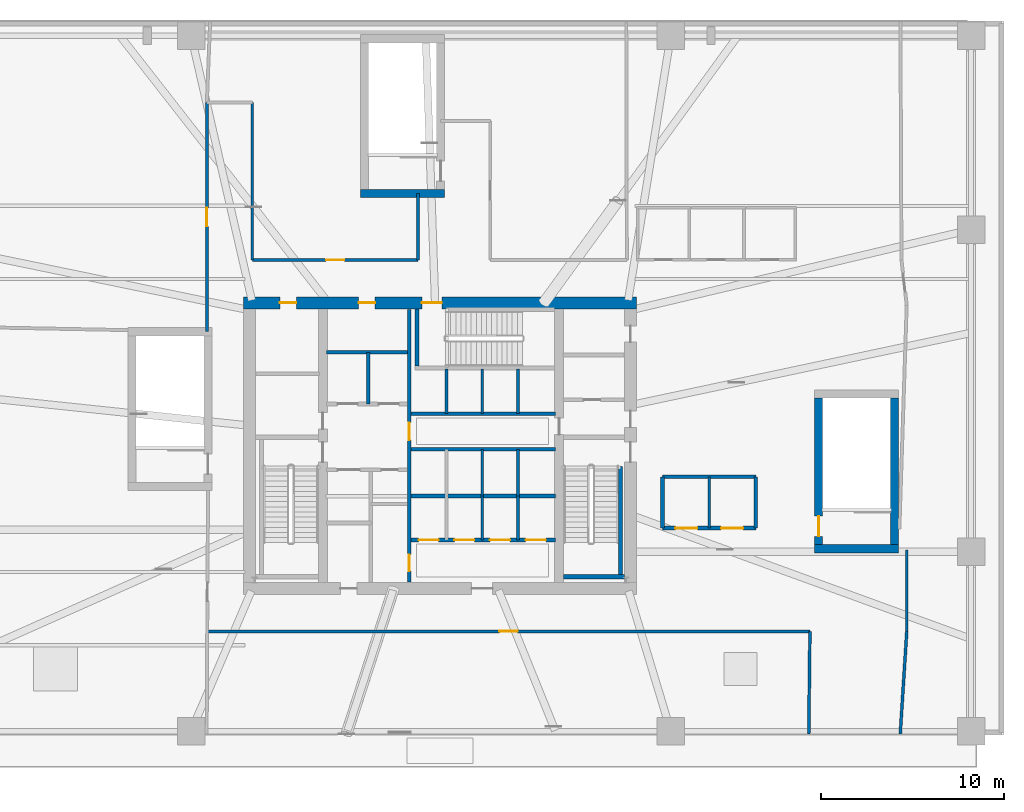
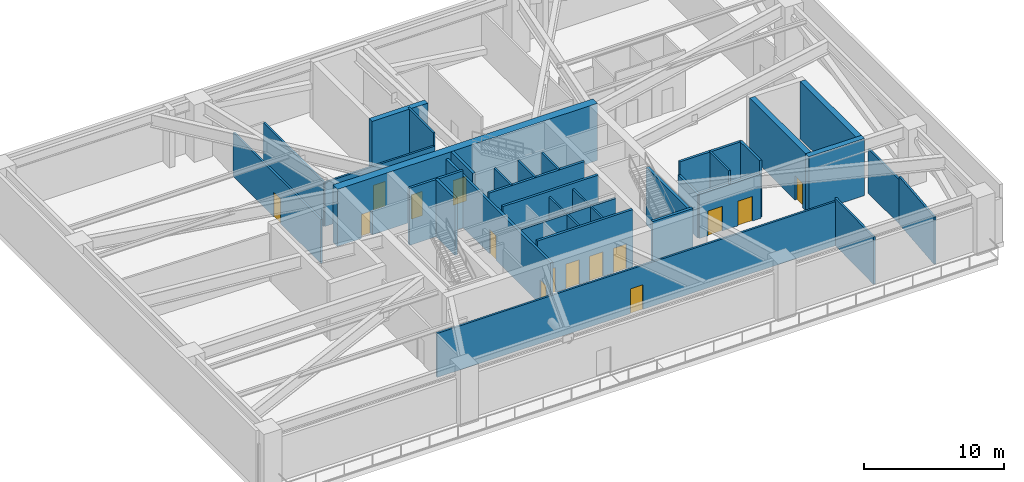
# One storey, part 5 of 10: 35 walls, 15 doors, 15 openings.
"""IFC4 building model written with IfcOpenShell, lengths in metres."""

from ifc_helpers import new_model, si_unit, direction, frame, frame_2d, origin, place, context, subcontext, project, spatial, rectangle, extrude, material, layer, layer_set, type_object, element, fill, save


model = new_model("IFC4")

# Units and contexts
model_context = context("Model", 3, precision=1e-05, world=origin(), true_north=direction((0.0, 1.0)))
body_context = subcontext(model_context, "Body", "Model", "MODEL_VIEW")
ifc_project = project(units=[si_unit("LENGTHUNIT", "METRE"), si_unit("AREAUNIT", "SQUARE_METRE"), si_unit("VOLUMEUNIT", "CUBIC_METRE"), si_unit("PLANEANGLEUNIT", "RADIAN"), si_unit("MASSUNIT", "GRAM", prefix="KILO")], contexts=[model_context])

# Site, building, storey
site_placement = place(None, origin())
site = spatial("IfcSite", under=ifc_project, at=site_placement, CompositionType="ELEMENT")
building_placement = place(site_placement, origin())
building = spatial("IfcBuilding", under=site, at=building_placement, Name="Qarnah Convention Tower", CompositionType="ELEMENT")
storey_placement = place(building_placement, frame((0.0, 0.0, 21.60009765625)))
storey = spatial("IfcBuildingStorey", under=building, at=storey_placement, Name="L04", CompositionType="ELEMENT", Elevation=21.60009765625)

# Wall, openings, doors
ifc_material_1 = material(Name="Concrete C60/75", Category="concrete")
ifc_layer_1 = layer(ifc_material_1, 0.64990234375)
ifc_layer_set_1 = layer_set([ifc_layer_1], Name="Concrete C60/75")
wall_type_1 = type_object("IfcWallType", Name="WL-CORE-650", PredefinedType="SHEAR", material=ifc_layer_set_1)
wall_1_placement = place(storey_placement, frame((26.47509765625, 34.199951171875, 0.0), z_axis=(0.0, 0.0, 1.0), x_axis=(1.0, 0.0, 0.0)))
wall_1 = element("IfcWall", 1, at=wall_1_placement, inside=storey, type_object=wall_type_1, Name="L04 core north shear wall", PredefinedType="SHEAR", context=body_context, shape_type="SweptSolid", body=[
    extrude(rectangle(XDim=21.449951171875, YDim=0.64990234375, at=frame_2d((10.72509765625, 0.0))), origin(), (0.0, 0.0, 1.0), 4.97998046875),
])
opening_1_placement = place(wall_1_placement, frame((9.72509765625, 0.0, 0.0)))
opening_1 = element("IfcOpeningElement", 2, at=opening_1_placement, cuts=wall_1, Name="Opening D-0403", PredefinedType="OPENING", context=body_context, shape_type="SweptSolid", body=[
    extrude(rectangle(XDim=1.10009765625, YDim=2.14990234375, at=frame_2d((0.550048828125, 1.074951171875))), frame((0.0, 0.3349609375, 0.0), z_axis=(0.0, -1.0, 0.0), x_axis=(1.0, 0.0, 0.0)), (0.0, 0.0, 1.0), 0.669921875),
])
opening_2_placement = place(wall_1_placement, frame((1.97509765625, 0.0, 0.0)))
opening_2 = element("IfcOpeningElement", 3, at=opening_2_placement, cuts=wall_1, Name="Opening D-0409", PredefinedType="OPENING", context=body_context, shape_type="SweptSolid", body=[
    extrude(rectangle(XDim=0.89990234375, YDim=2.10009765625, at=frame_2d((0.449951171875, 1.050048828125))), frame((0.0, 0.3349609375, 0.0), z_axis=(0.0, -1.0, 0.0), x_axis=(1.0, 0.0, 0.0)), (0.0, 0.0, 1.0), 0.669921875),
])
opening_3_placement = place(wall_1_placement, frame((6.27490234375, 0.0, 0.0)))
opening_3 = element("IfcOpeningElement", 4, at=opening_3_placement, cuts=wall_1, Name="Opening D-0410", PredefinedType="OPENING", context=body_context, shape_type="SweptSolid", body=[
    extrude(rectangle(XDim=0.89990234375, YDim=2.10009765625, at=frame_2d((0.449951171875, 1.050048828125))), frame((0.0, 0.3349609375, 0.0), z_axis=(0.0, -1.0, 0.0), x_axis=(1.0, 0.0, 0.0)), (0.0, 0.0, 1.0), 0.669921875),
])
ifc_material_2 = material(Name="Structural steel S355JR", Category="steel")
door_type_1 = type_object("IfcDoorType", Name="DT-RISER-900", OperationType="NOTDEFINED", PredefinedType="DOOR", material=ifc_material_2)
door_1_placement = place(opening_2_placement, origin())
door_1 = element("IfcDoor", 5, at=door_1_placement, inside=storey, type_object=door_type_1, Name="Door D-0409", OperationType="SINGLE_SWING_RIGHT", OverallHeight=2.10009765625, OverallWidth=0.89990234375, PredefinedType="DOOR", context=body_context, shape_type="SweptSolid", body=[
    extrude(rectangle(XDim=0.89990234375, YDim=2.10009765625, at=frame_2d((0.449951171875, 1.050048828125))), frame((0.0, 0.02490234375, 0.0), z_axis=(0.0, -1.0, 0.0), x_axis=(1.0, 0.0, 0.0)), (0.0, 0.0, 1.0), 0.050048828125),
])
fill(opening_2, door_1)
door_2_placement = place(opening_3_placement, origin())
door_2 = element("IfcDoor", 6, at=door_2_placement, inside=storey, type_object=door_type_1, Name="Door D-0410", OperationType="SINGLE_SWING_LEFT", OverallHeight=2.10009765625, OverallWidth=0.89990234375, PredefinedType="DOOR", context=body_context, shape_type="SweptSolid", body=[
    extrude(rectangle(XDim=0.89990234375, YDim=2.10009765625, at=frame_2d((0.449951171875, 1.050048828125))), frame((0.0, 0.02490234375, 0.0), z_axis=(0.0, -1.0, 0.0), x_axis=(1.0, 0.0, 0.0)), (0.0, 0.0, 1.0), 0.050048828125),
])
fill(opening_3, door_2)
door_type_2 = type_object("IfcDoorType", Name="DT-STAIR-1100", OperationType="NOTDEFINED", PredefinedType="DOOR", material=ifc_material_2)
door_3_placement = place(opening_1_placement, origin())
door_3 = element("IfcDoor", 7, at=door_3_placement, inside=storey, type_object=door_type_2, Name="Door D-0403", OperationType="SINGLE_SWING_RIGHT", OverallHeight=2.14990234375, OverallWidth=1.10009765625, PredefinedType="DOOR", context=body_context, shape_type="SweptSolid", body=[
    extrude(rectangle(XDim=1.10009765625, YDim=2.14990234375, at=frame_2d((0.550048828125, 1.074951171875))), frame((0.0, 0.02490234375, 0.0), z_axis=(0.0, -1.0, 0.0), x_axis=(1.0, 0.0, 0.0)), (0.0, 0.0, 1.0), 0.050048828125),
])
fill(opening_1, door_3)

ifc_material_3 = material(Name="Concrete C45/55", Category="concrete")
ifc_layer_2 = layer(ifc_material_3, 0.199951171875)
ifc_layer_set_2 = layer_set([ifc_layer_2], Name="Concrete C45/55")
wall_type_2 = type_object("IfcWallType", Name="WL-CORE-PART-200", PredefinedType="SOLIDWALL", material=ifc_layer_set_2)
wall_2_placement = place(storey_placement, frame((35.52001953125, 18.949951171875, 0.0), z_axis=(0.0, 0.0, 1.0), x_axis=(0.0, 1.0, 0.0)))
wall_2 = element("IfcWall", 8, at=wall_2_placement, inside=storey, type_object=wall_type_2, Name="L04 interior wall IW-L04-CSP", PredefinedType="SOLIDWALL", context=body_context, shape_type="SweptSolid", body=[
    extrude(rectangle(XDim=14.900146484375, YDim=0.199951171875, at=frame_2d((7.4501953125, 0.0))), origin(), (0.0, 0.0, 1.0), 4.5009765625),
])
opening_4_placement = place(wall_2_placement, frame((7.7548828125, 0.0, 0.0)))
opening_4 = element("IfcOpeningElement", 9, at=opening_4_placement, cuts=wall_2, Name="Opening D-0404", PredefinedType="OPENING", context=body_context, shape_type="SweptSolid", body=[
    extrude(rectangle(XDim=0.949951171875, YDim=2.14990234375, at=frame_2d((0.47509765625, 1.074951171875))), frame((0.0, 0.10986328125, 0.0), z_axis=(0.0, -1.0, 0.0), x_axis=(1.0, 0.0, 0.0)), (0.0, 0.0, 1.0), 0.219970703125),
])
opening_5_placement = place(wall_2_placement, frame((0.60009765625, 0.0, 0.0)))
opening_5 = element("IfcOpeningElement", 10, at=opening_5_placement, cuts=wall_2, Name="Opening D-0414", PredefinedType="OPENING", context=body_context, shape_type="SweptSolid", body=[
    extrude(rectangle(XDim=0.89990234375, YDim=2.10009765625, at=frame_2d((0.449951171875, 1.050048828125))), frame((0.0, 0.10986328125, 0.0), z_axis=(0.0, -1.0, 0.0), x_axis=(1.0, 0.0, 0.0)), (0.0, 0.0, 1.0), 0.219970703125),
])
ifc_material_4 = material(Name="Oak timber veneer", Category="wood")
door_type_3 = type_object("IfcDoorType", Name="DT-HOTEL-950", OperationType="NOTDEFINED", PredefinedType="DOOR", material=ifc_material_4)
door_4_placement = place(opening_4_placement, origin())
door_4 = element("IfcDoor", 11, at=door_4_placement, inside=storey, type_object=door_type_3, Name="Door D-0404", OperationType="SINGLE_SWING_LEFT", OverallHeight=2.14990234375, OverallWidth=0.949951171875, PredefinedType="DOOR", context=body_context, shape_type="SweptSolid", body=[
    extrude(rectangle(XDim=0.949951171875, YDim=2.14990234375, at=frame_2d((0.47509765625, 1.074951171875))), frame((0.0, 0.02490234375, 0.0), z_axis=(0.0, -1.0, 0.0), x_axis=(1.0, 0.0, 0.0)), (0.0, 0.0, 1.0), 0.050048828125),
])
fill(opening_4, door_4)
door_5_placement = place(opening_5_placement, origin())
door_5 = element("IfcDoor", 12, at=door_5_placement, inside=storey, type_object=door_type_1, Name="Door D-0414", OperationType="SINGLE_SWING_LEFT", OverallHeight=2.10009765625, OverallWidth=0.89990234375, PredefinedType="DOOR", context=body_context, shape_type="SweptSolid", body=[
    extrude(rectangle(XDim=0.89990234375, YDim=2.10009765625, at=frame_2d((0.449951171875, 1.050048828125))), frame((0.0, 0.02490234375, 0.0), z_axis=(0.0, -1.0, 0.0), x_axis=(1.0, 0.0, 0.0)), (0.0, 0.0, 1.0), 0.050048828125),
])
fill(opening_5, door_5)

# Walls
wall_3_placement = place(storey_placement, frame((31.0, 31.5, 0.0), z_axis=(0.0, 0.0, 1.0), x_axis=(1.0, 0.0, 0.0)))
element("IfcWall", 13, at=wall_3_placement, inside=storey, type_object=wall_type_2, Name="L04 interior wall IW-L04-FFLN", PredefinedType="SOLIDWALL", context=body_context, shape_type="SweptSolid", body=[
    extrude(rectangle(XDim=4.419921875, YDim=0.199951171875, at=frame_2d((2.2099609375, 0.0))), origin(), (0.0, 0.0, 1.0), 4.97998046875),
])
wall_4_placement = place(storey_placement, frame((33.280029296875, 28.679931640625, 0.0), z_axis=(0.0, 0.0, 1.0), x_axis=(0.0, 1.0, 0.0)))
element("IfcWall", 14, at=wall_4_placement, inside=storey, type_object=wall_type_2, Name="L04 interior wall IW-L04-FFLM", PredefinedType="SOLIDWALL", context=body_context, shape_type="SweptSolid", body=[
    extrude(rectangle(XDim=2.820068359375, YDim=0.199951171875, at=frame_2d((1.41015625, 0.0))), origin(), (0.0, 0.0, 1.0), 4.97998046875),
])
for number, where, z_axis, x_axis, name in (
    (15, (35.6201171875, 28.14990234375, 0.0), (0.0, 0.0, 1.0), (1.0, 0.0, 0.0), "L04 interior wall IW-L04-PHS"),
    (16, (35.6201171875, 26.199951171875, 0.0), (0.0, 0.0, 1.0), (1.0, 0.0, 0.0), "L04 interior wall IW-L04-PMN"),
):
    element("IfcWall", number, at=place(storey_placement, frame(where, z_axis=z_axis, x_axis=x_axis)), inside=storey, type_object=wall_type_2, Name=name, PredefinedType="SOLIDWALL", context=body_context, shape_type="SweptSolid", body=[
        extrude(rectangle(XDim=7.8798828125, YDim=0.199951171875, at=frame_2d((3.93994140625, 0.0))), origin(), (0.0, 0.0, 1.0), 4.97998046875),
    ])
wall_5_placement = place(storey_placement, frame((35.6201171875, 23.64990234375, 0.0), z_axis=(0.0, 0.0, 1.0), x_axis=(1.0, 0.0, 0.0)))
element("IfcWall", 17, at=wall_5_placement, inside=storey, type_object=wall_type_2, Name="L04 interior wall IW-L04-PMPL", PredefinedType="SOLIDWALL", context=body_context, shape_type="SweptSolid", body=[
    extrude(rectangle(XDim=7.8798828125, YDim=0.199951171875, at=frame_2d((3.93994140625, 0.0))), origin(), (0.0, 0.0, 1.0), 4.5009765625),
])

# Wall, openings, doors
wall_6_placement = place(storey_placement, frame((35.6201171875, 21.25, 0.0), z_axis=(0.0, 0.0, 1.0), x_axis=(1.0, 0.0, 0.0)))
wall_6 = element("IfcWall", 18, at=wall_6_placement, inside=storey, type_object=wall_type_2, Name="L04 interior wall IW-L04-PLS", PredefinedType="SOLIDWALL", context=body_context, shape_type="SweptSolid", body=[
    extrude(rectangle(XDim=7.8798828125, YDim=0.199951171875, at=frame_2d((3.93994140625, 0.0))), origin(), (0.0, 0.0, 1.0), 4.97998046875),
])
opening_6_placement = place(wall_6_placement, frame((0.405029296875, 0.0, 0.0)))
opening_6 = element("IfcOpeningElement", 19, at=opening_6_placement, cuts=wall_6, Name="Opening LD-0404", PredefinedType="OPENING", context=body_context, shape_type="SweptSolid", body=[
    extrude(rectangle(XDim=1.10009765625, YDim=2.14990234375, at=frame_2d((0.550048828125, 1.074951171875))), frame((0.0, 0.10986328125, 0.0), z_axis=(0.0, -1.0, 0.0), x_axis=(1.0, 0.0, 0.0)), (0.0, 0.0, 1.0), 0.219970703125),
])
opening_7_placement = place(wall_6_placement, frame((2.35498046875, 0.0, 0.0)))
opening_7 = element("IfcOpeningElement", 20, at=opening_7_placement, cuts=wall_6, Name="Opening LD-0405", PredefinedType="OPENING", context=body_context, shape_type="SweptSolid", body=[
    extrude(rectangle(XDim=1.10009765625, YDim=2.14990234375, at=frame_2d((0.550048828125, 1.074951171875))), frame((0.0, 0.10986328125, 0.0), z_axis=(0.0, -1.0, 0.0), x_axis=(1.0, 0.0, 0.0)), (0.0, 0.0, 1.0), 0.219970703125),
])
opening_8_placement = place(wall_6_placement, frame((4.304931640625, 0.0, 0.0)))
opening_8 = element("IfcOpeningElement", 21, at=opening_8_placement, cuts=wall_6, Name="Opening LD-0406", PredefinedType="OPENING", context=body_context, shape_type="SweptSolid", body=[
    extrude(rectangle(XDim=1.10009765625, YDim=2.14990234375, at=frame_2d((0.550048828125, 1.074951171875))), frame((0.0, 0.10986328125, 0.0), z_axis=(0.0, -1.0, 0.0), x_axis=(1.0, 0.0, 0.0)), (0.0, 0.0, 1.0), 0.219970703125),
])
opening_9_placement = place(wall_6_placement, frame((6.2548828125, 0.0, 0.0)))
opening_9 = element("IfcOpeningElement", 22, at=opening_9_placement, cuts=wall_6, Name="Opening LD-0407", PredefinedType="OPENING", context=body_context, shape_type="SweptSolid", body=[
    extrude(rectangle(XDim=1.10009765625, YDim=2.14990234375, at=frame_2d((0.550048828125, 1.074951171875))), frame((0.0, 0.10986328125, 0.0), z_axis=(0.0, -1.0, 0.0), x_axis=(1.0, 0.0, 0.0)), (0.0, 0.0, 1.0), 0.219970703125),
])
door_type_4 = type_object("IfcDoorType", Name="DT-LIFT-1100", OperationType="SLIDING_TO_LEFT", PredefinedType="DOOR", material=ifc_material_2)
door_6_placement = place(opening_6_placement, origin())
door_6 = element("IfcDoor", 23, at=door_6_placement, inside=storey, type_object=door_type_4, Name="Door LD-0404", OperationType="SLIDING_TO_LEFT", OverallHeight=2.14990234375, OverallWidth=1.10009765625, PredefinedType="DOOR", context=body_context, shape_type="SweptSolid", body=[
    extrude(rectangle(XDim=1.10009765625, YDim=2.14990234375, at=frame_2d((0.550048828125, 1.074951171875))), frame((0.0, 0.02490234375, 0.0), z_axis=(0.0, -1.0, 0.0), x_axis=(1.0, 0.0, 0.0)), (0.0, 0.0, 1.0), 0.050048828125),
])
fill(opening_6, door_6)
door_7_placement = place(opening_7_placement, origin())
door_7 = element("IfcDoor", 24, at=door_7_placement, inside=storey, type_object=door_type_4, Name="Door LD-0405", OperationType="SLIDING_TO_LEFT", OverallHeight=2.14990234375, OverallWidth=1.10009765625, PredefinedType="DOOR", context=body_context, shape_type="SweptSolid", body=[
    extrude(rectangle(XDim=1.10009765625, YDim=2.14990234375, at=frame_2d((0.550048828125, 1.074951171875))), frame((0.0, 0.02490234375, 0.0), z_axis=(0.0, -1.0, 0.0), x_axis=(1.0, 0.0, 0.0)), (0.0, 0.0, 1.0), 0.050048828125),
])
fill(opening_7, door_7)
door_8_placement = place(opening_8_placement, origin())
door_8 = element("IfcDoor", 25, at=door_8_placement, inside=storey, type_object=door_type_4, Name="Door LD-0406", OperationType="SLIDING_TO_LEFT", OverallHeight=2.14990234375, OverallWidth=1.10009765625, PredefinedType="DOOR", context=body_context, shape_type="SweptSolid", body=[
    extrude(rectangle(XDim=1.10009765625, YDim=2.14990234375, at=frame_2d((0.550048828125, 1.074951171875))), frame((0.0, 0.02490234375, 0.0), z_axis=(0.0, -1.0, 0.0), x_axis=(1.0, 0.0, 0.0)), (0.0, 0.0, 1.0), 0.050048828125),
])
fill(opening_8, door_8)
door_9_placement = place(opening_9_placement, origin())
door_9 = element("IfcDoor", 26, at=door_9_placement, inside=storey, type_object=door_type_4, Name="Door LD-0407", OperationType="SLIDING_TO_LEFT", OverallHeight=2.14990234375, OverallWidth=1.10009765625, PredefinedType="DOOR", context=body_context, shape_type="SweptSolid", body=[
    extrude(rectangle(XDim=1.10009765625, YDim=2.14990234375, at=frame_2d((0.550048828125, 1.074951171875))), frame((0.0, 0.02490234375, 0.0), z_axis=(0.0, -1.0, 0.0), x_axis=(1.0, 0.0, 0.0)), (0.0, 0.0, 1.0), 0.050048828125),
])
fill(opening_9, door_9)

# Wall
wall_7_placement = place(storey_placement, frame((49.35009765625, 24.699951171875, 0.0), z_axis=(0.0, 0.0, 1.0), x_axis=(1.0, 0.0, 0.0)))
element("IfcWall", 27, at=wall_7_placement, inside=storey, type_object=wall_type_2, Name="L04 interior wall IW-L04-PSN", PredefinedType="SOLIDWALL", context=body_context, shape_type="SweptSolid", body=[
    extrude(rectangle(XDim=5.099853515625, YDim=0.199951171875, at=frame_2d((2.5498046875, 0.0))), origin(), (0.0, 0.0, 1.0), 4.97998046875),
])

# Wall, openings, doors
wall_8_placement = place(storey_placement, frame((49.35009765625, 21.89990234375, 0.0), z_axis=(0.0, 0.0, 1.0), x_axis=(1.0, 0.0, 0.0)))
wall_8 = element("IfcWall", 28, at=wall_8_placement, inside=storey, type_object=wall_type_2, Name="L04 interior wall IW-L04-PSS", PredefinedType="SOLIDWALL", context=body_context, shape_type="SweptSolid", body=[
    extrude(rectangle(XDim=5.099853515625, YDim=0.199951171875, at=frame_2d((2.5498046875, 0.0))), origin(), (0.0, 0.0, 1.0), 3.846923828125),
])
opening_10_placement = place(wall_8_placement, frame((0.699951171875, 0.0, 0.0)))
opening_10 = element("IfcOpeningElement", 29, at=opening_10_placement, cuts=wall_8, Name="Opening LD-0408", PredefinedType="OPENING", context=body_context, shape_type="SweptSolid", body=[
    extrude(rectangle(XDim=1.199951171875, YDim=2.14990234375, at=frame_2d((0.60009765625, 1.074951171875))), frame((0.0, 0.10986328125, 0.0), z_axis=(0.0, -1.0, 0.0), x_axis=(1.0, 0.0, 0.0)), (0.0, 0.0, 1.0), 0.219970703125),
])
opening_11_placement = place(wall_8_placement, frame((3.199951171875, 0.0, 0.0)))
opening_11 = element("IfcOpeningElement", 30, at=opening_11_placement, cuts=wall_8, Name="Opening LD-0409", PredefinedType="OPENING", context=body_context, shape_type="SweptSolid", body=[
    extrude(rectangle(XDim=1.199951171875, YDim=2.14990234375, at=frame_2d((0.60009765625, 1.074951171875))), frame((0.0, 0.10986328125, 0.0), z_axis=(0.0, -1.0, 0.0), x_axis=(1.0, 0.0, 0.0)), (0.0, 0.0, 1.0), 0.219970703125),
])
door_type_5 = type_object("IfcDoorType", Name="DT-LIFT-1200", OperationType="SLIDING_TO_LEFT", PredefinedType="DOOR", material=ifc_material_2)
door_10_placement = place(opening_10_placement, origin())
door_10 = element("IfcDoor", 31, at=door_10_placement, inside=storey, type_object=door_type_5, Name="Door LD-0408", OperationType="SLIDING_TO_LEFT", OverallHeight=2.14990234375, OverallWidth=1.199951171875, PredefinedType="DOOR", context=body_context, shape_type="SweptSolid", body=[
    extrude(rectangle(XDim=1.199951171875, YDim=2.14990234375, at=frame_2d((0.60009765625, 1.074951171875))), frame((0.0, 0.02490234375, 0.0), z_axis=(0.0, -1.0, 0.0), x_axis=(1.0, 0.0, 0.0)), (0.0, 0.0, 1.0), 0.050048828125),
])
fill(opening_10, door_10)
door_11_placement = place(opening_11_placement, origin())
door_11 = element("IfcDoor", 32, at=door_11_placement, inside=storey, type_object=door_type_5, Name="Door LD-0409", OperationType="SLIDING_TO_LEFT", OverallHeight=2.14990234375, OverallWidth=1.199951171875, PredefinedType="DOOR", context=body_context, shape_type="SweptSolid", body=[
    extrude(rectangle(XDim=1.199951171875, YDim=2.14990234375, at=frame_2d((0.60009765625, 1.074951171875))), frame((0.0, 0.02490234375, 0.0), z_axis=(0.0, -1.0, 0.0), x_axis=(1.0, 0.0, 0.0)), (0.0, 0.0, 1.0), 0.050048828125),
])
fill(opening_11, door_11)

# Walls
wall_9_placement = place(storey_placement, frame((49.35009765625, 21.89990234375, 0.0), z_axis=(0.0, 0.0, 1.0), x_axis=(0.0, 1.0, 0.0)))
element("IfcWall", 33, at=wall_9_placement, inside=storey, type_object=wall_type_2, Name="L04 interior wall IW-L04-PSW", PredefinedType="SOLIDWALL", context=body_context, shape_type="SweptSolid", body=[
    extrude(rectangle(XDim=2.800048828125, YDim=0.199951171875, at=frame_2d((1.39990234375, 0.0))), origin(), (0.0, 0.0, 1.0), 3.846923828125),
])
wall_10_placement = place(storey_placement, frame((54.449951171875, 21.89990234375, 0.0), z_axis=(0.0, 0.0, 1.0), x_axis=(0.0, 1.0, 0.0)))
element("IfcWall", 34, at=wall_10_placement, inside=storey, type_object=wall_type_2, Name="L04 interior wall IW-L04-PSE", PredefinedType="SOLIDWALL", context=body_context, shape_type="SweptSolid", body=[
    extrude(rectangle(XDim=2.800048828125, YDim=0.199951171875, at=frame_2d((1.39990234375, 0.0))), origin(), (0.0, 0.0, 1.0), 4.97998046875),
])
ifc_layer_3 = layer(ifc_material_1, 0.219970703125)
ifc_layer_set_3 = layer_set([ifc_layer_3], Name="Concrete C60/75")
wall_type_3 = type_object("IfcWallType", Name="WL-CORE-STAIR-220", PredefinedType="SHEAR", material=ifc_layer_set_3)
wall_11_placement = place(storey_placement, frame((47.06005859375, 19.35009765625, 0.0), z_axis=(0.0, 0.0, 1.0), x_axis=(0.0, 1.0, 0.0)))
element("IfcWall", 35, at=wall_11_placement, inside=storey, type_object=wall_type_3, Name="L04 stair shaft shear wall SW-L04-ST2E", PredefinedType="SHEAR", context=body_context, shape_type="SweptSolid", body=[
    extrude(rectangle(XDim=5.89990234375, YDim=0.219970703125, at=frame_2d((2.949951171875, 0.0))), origin(), (0.0, 0.0, 1.0), 4.97998046875),
])
wall_12_placement = place(storey_placement, frame((43.949951171875, 19.239990234375, 0.0), z_axis=(0.0, 0.0, 1.0), x_axis=(1.0, 0.0, 0.0)))
element("IfcWall", 36, at=wall_12_placement, inside=storey, type_object=wall_type_3, Name="L04 stair shaft shear wall SW-L04-ST2S", PredefinedType="SHEAR", context=body_context, shape_type="SweptSolid", body=[
    extrude(rectangle(XDim=3.324951171875, YDim=0.219970703125, at=frame_2d((1.66259765625, 0.0))), origin(), (0.0, 0.0, 1.0), 4.97998046875),
])
wall_13_placement = place(storey_placement, frame((35.93994140625, 30.75, 0.0), z_axis=(0.0, 0.0, 1.0), x_axis=(0.0, 1.0, 0.0)))
element("IfcWall", 37, at=wall_13_placement, inside=storey, type_object=wall_type_3, Name="L04 stair shaft shear wall SW-L04-ST3W", PredefinedType="SHEAR", context=body_context, shape_type="SweptSolid", body=[
    extrude(rectangle(XDim=3.125, YDim=0.219970703125, at=frame_2d((1.5625, 0.0))), origin(), (0.0, 0.0, 1.0), 4.97998046875),
])

# Wall, opening, door
ifc_material_5 = material(Name="Gypsum partition board")
ifc_layer_4 = layer(ifc_material_5, 0.159912109375)
ifc_layer_set_4 = layer_set([ifc_layer_4], Name="Gypsum partition board")
wall_type_4 = type_object("IfcWallType", Name="WL-CORR-160", PredefinedType="PARTITIONING", material=ifc_layer_set_4)
wall_14_placement = place(storey_placement, frame((24.4599609375, 32.625, 0.0), z_axis=(0.0, 0.0, 1.0), x_axis=(0.0, 1.0, 0.0)))
wall_14 = element("IfcWall", 38, at=wall_14_placement, inside=storey, type_object=wall_type_4, Name="L04 interior wall IW-L04-R-13", PredefinedType="PARTITIONING", context=body_context, shape_type="SweptSolid", body=[
    extrude(rectangle(XDim=12.514892578125, YDim=0.159912109375, at=frame_2d((6.25732421875, 0.0))), origin(), (0.0, 0.0, 1.0), 3.846923828125),
])
opening_12_placement = place(wall_14_placement, frame((5.758056640625, 0.0, 0.0)))
opening_12 = element("IfcOpeningElement", 39, at=opening_12_placement, cuts=wall_14, Name="Opening D-0423", PredefinedType="OPENING", context=body_context, shape_type="SweptSolid", body=[
    extrude(rectangle(XDim=1.0, YDim=2.14990234375, at=frame_2d((0.5, 1.074951171875))), frame((0.0, 0.08984375, 0.0), z_axis=(0.0, -1.0, 0.0), x_axis=(1.0, 0.0, 0.0)), (0.0, 0.0, 1.0), 0.179931640625),
])
door_type_6 = type_object("IfcDoorType", Name="DT-OFFICE-1000", OperationType="NOTDEFINED", PredefinedType="DOOR", material=ifc_material_4)
door_12_placement = place(opening_12_placement, origin())
door_12 = element("IfcDoor", 40, at=door_12_placement, inside=storey, type_object=door_type_6, Name="Door D-0423", OperationType="SINGLE_SWING_RIGHT", OverallHeight=2.14990234375, OverallWidth=1.0, PredefinedType="DOOR", context=body_context, shape_type="SweptSolid", body=[
    extrude(rectangle(XDim=1.0, YDim=2.14990234375, at=frame_2d((0.5, 1.074951171875))), frame((0.0, 0.02490234375, 0.0), z_axis=(0.0, -1.0, 0.0), x_axis=(1.0, 0.0, 0.0)), (0.0, 0.0, 1.0), 0.050048828125),
])
fill(opening_12, door_12)

# Wall
wall_15_placement = place(storey_placement, frame((57.3369140625, 10.64892578125, 0.0), z_axis=(0.0, 0.0, 1.0), x_axis=(0.011224981311, 0.999936997913, 0.0)))
element("IfcWall", 41, at=wall_15_placement, inside=storey, type_object=wall_type_4, Name="L04 interior wall IW-L04-R-15", PredefinedType="PARTITIONING", context=body_context, shape_type="SweptSolid", body=[
    extrude(rectangle(XDim=5.611328125, YDim=0.159912109375, at=frame_2d((2.8056640625, 0.0))), origin(), (0.0, 0.0, 1.0), 4.120849609375),
])

# Wall, opening, door
wall_16_placement = place(storey_placement, frame((57.39990234375, 16.260009765625, 0.0), z_axis=(0.0, 0.0, 1.0), x_axis=(-0.99999999956, 2.9665668e-05, 0.0)))
wall_16 = element("IfcWall", 42, at=wall_16_placement, inside=storey, type_object=wall_type_4, Name="L04 interior wall IW-L04-R-16", PredefinedType="PARTITIONING", context=body_context, shape_type="SweptSolid", body=[
    extrude(rectangle(XDim=32.9189453125, YDim=0.159912109375, at=frame_2d((16.45947265625, 0.0))), origin(), (0.0, 0.0, 1.0), 3.846923828125),
])
opening_13_placement = place(wall_16_placement, frame((15.9599609375, 0.0, 0.0)))
opening_13 = element("IfcOpeningElement", 43, at=opening_13_placement, cuts=wall_16, Name="Opening D-0424", PredefinedType="OPENING", context=body_context, shape_type="SweptSolid", body=[
    extrude(rectangle(XDim=1.0, YDim=2.14990234375, at=frame_2d((0.5, 1.074951171875))), frame((0.0, 0.08984375, 0.0), z_axis=(0.0, -1.0, 0.0), x_axis=(1.0, 0.0, 0.0)), (0.0, 0.0, 1.0), 0.179931640625),
])
door_13_placement = place(opening_13_placement, origin())
door_13 = element("IfcDoor", 44, at=door_13_placement, inside=storey, type_object=door_type_6, Name="Door D-0424", OperationType="SINGLE_SWING_LEFT", OverallHeight=2.14990234375, OverallWidth=1.0, PredefinedType="DOOR", context=body_context, shape_type="SweptSolid", body=[
    extrude(rectangle(XDim=1.0, YDim=2.14990234375, at=frame_2d((0.5, 1.074951171875))), frame((0.0, 0.02490234375, 0.0), z_axis=(0.0, -1.0, 0.0), x_axis=(1.0, 0.0, 0.0)), (0.0, 0.0, 1.0), 0.050048828125),
])
fill(opening_13, door_13)

# Wall
wall_17_placement = place(storey_placement, frame((26.93994140625, 45.139892578125, 0.0), z_axis=(0.0, 0.0, 1.0), x_axis=(0.0, -1.0, 0.0)))
element("IfcWall", 45, at=wall_17_placement, inside=storey, type_object=wall_type_4, Name="L04 interior wall IW-L04-R-18", PredefinedType="PARTITIONING", context=body_context, shape_type="SweptSolid", body=[
    extrude(rectangle(XDim=8.599853515625, YDim=0.159912109375, at=frame_2d((4.2998046875, 0.0))), origin(), (0.0, 0.0, 1.0), 3.846923828125),
])

# Wall, opening, door
wall_18_placement = place(storey_placement, frame((26.93994140625, 36.5400390625, 0.0), z_axis=(0.0, 0.0, 1.0), x_axis=(1.0, 0.0, 0.0)))
wall_18 = element("IfcWall", 46, at=wall_18_placement, inside=storey, type_object=wall_type_4, Name="L04 interior wall IW-L04-R-19", PredefinedType="PARTITIONING", context=body_context, shape_type="SweptSolid", body=[
    extrude(rectangle(XDim=9.06005859375, YDim=0.159912109375, at=frame_2d((4.530029296875, 0.0))), origin(), (0.0, 0.0, 1.0), 3.846923828125),
])
opening_14_placement = place(wall_18_placement, frame((4.030029296875, 0.0, 0.0)))
opening_14 = element("IfcOpeningElement", 47, at=opening_14_placement, cuts=wall_18, Name="Opening D-0425", PredefinedType="OPENING", context=body_context, shape_type="SweptSolid", body=[
    extrude(rectangle(XDim=1.0, YDim=2.14990234375, at=frame_2d((0.5, 1.074951171875))), frame((0.0, 0.08984375, 0.0), z_axis=(0.0, -1.0, 0.0), x_axis=(1.0, 0.0, 0.0)), (0.0, 0.0, 1.0), 0.179931640625),
])
door_14_placement = place(opening_14_placement, origin())
door_14 = element("IfcDoor", 48, at=door_14_placement, inside=storey, type_object=door_type_6, Name="Door D-0425", OperationType="SINGLE_SWING_RIGHT", OverallHeight=2.14990234375, OverallWidth=1.0, PredefinedType="DOOR", context=body_context, shape_type="SweptSolid", body=[
    extrude(rectangle(XDim=1.0, YDim=2.14990234375, at=frame_2d((0.5, 1.074951171875))), frame((0.0, 0.02490234375, 0.0), z_axis=(0.0, -1.0, 0.0), x_axis=(1.0, 0.0, 0.0)), (0.0, 0.0, 1.0), 0.050048828125),
])
fill(opening_14, door_14)

# Walls
wall_19_placement = place(storey_placement, frame((36.0, 36.5400390625, 0.0), z_axis=(0.0, 0.0, 1.0), x_axis=(0.0, 1.0, 0.0)))
element("IfcWall", 49, at=wall_19_placement, inside=storey, type_object=wall_type_4, Name="L04 interior wall IW-L04-R-20", PredefinedType="PARTITIONING", context=body_context, shape_type="SweptSolid", body=[
    extrude(rectangle(XDim=3.635009765625, YDim=0.159912109375, at=frame_2d((1.8173828125, 0.0))), origin(), (0.0, 0.0, 1.0), 4.97998046875),
])
wall_20_placement = place(storey_placement, frame((62.68994140625, 20.68994140625, 0.0), z_axis=(0.0, 0.0, 1.0), x_axis=(0.0, -1.0, 0.0)))
element("IfcWall", 50, at=wall_20_placement, inside=storey, type_object=wall_type_4, Name="L04 interior wall IW-L04-R-28", PredefinedType="PARTITIONING", context=body_context, shape_type="SweptSolid", body=[
    extrude(rectangle(XDim=4.429931640625, YDim=0.159912109375, at=frame_2d((2.21484375, 0.0))), origin(), (0.0, 0.0, 1.0), 3.846923828125),
])
wall_21_placement = place(storey_placement, frame((62.68994140625, 16.260009765625, 0.0), z_axis=(0.0, 0.0, 1.0), x_axis=(-0.063579763171, -0.997976760108, 0.0)))
element("IfcWall", 51, at=wall_21_placement, inside=storey, type_object=wall_type_4, Name="L04 interior wall IW-L04-R-29", PredefinedType="PARTITIONING", context=body_context, shape_type="SweptSolid", body=[
    extrude(rectangle(XDim=5.62939453125, YDim=0.159912109375, at=frame_2d((2.814697265625, 0.0))), origin(), (0.0, 0.0, 1.0), 4.120849609375),
])
ifc_layer_5 = layer(ifc_material_1, 0.449951171875)
ifc_layer_set_5 = layer_set([ifc_layer_5], Name="Concrete C60/75")
wall_type_5 = type_object("IfcWallType", Name="WL-POD-CORE-450", PredefinedType="SHEAR", material=ifc_layer_set_5)
wall_22_placement = place(storey_placement, frame((57.64990234375, 20.77490234375, 0.0), z_axis=(0.0, 0.0, 1.0), x_axis=(1.0, 0.0, 0.0)))
element("IfcWall", 52, at=wall_22_placement, inside=storey, type_object=wall_type_5, Name="L04 podium stair ST-4 south wall", PredefinedType="SHEAR", context=body_context, shape_type="SweptSolid", body=[
    extrude(rectangle(XDim=4.60009765625, YDim=0.449951171875, at=frame_2d((2.300048828125, 0.0))), origin(), (0.0, 0.0, 1.0), 4.97998046875),
])

# Wall, opening, door
wall_23_placement = place(storey_placement, frame((57.875, 21.0, 0.0), z_axis=(0.0, 0.0, 1.0), x_axis=(0.0, 1.0, 0.0)))
wall_23 = element("IfcWall", 53, at=wall_23_placement, inside=storey, type_object=wall_type_5, Name="L04 podium stair ST-4 west wall", PredefinedType="SHEAR", context=body_context, shape_type="SweptSolid", body=[
    extrude(rectangle(XDim=8.0, YDim=0.449951171875, at=frame_2d((4.0, 0.0))), origin(), (0.0, 0.0, 1.0), 4.97998046875),
])
opening_15_placement = place(wall_23_placement, frame((0.449951171875, 0.0, 0.0)))
opening_15 = element("IfcOpeningElement", 54, at=opening_15_placement, cuts=wall_23, Name="Opening D-0416", PredefinedType="OPENING", context=body_context, shape_type="SweptSolid", body=[
    extrude(rectangle(XDim=1.10009765625, YDim=2.14990234375, at=frame_2d((0.550048828125, 1.074951171875))), frame((0.0, 0.23486328125, 0.0), z_axis=(0.0, -1.0, 0.0), x_axis=(1.0, 0.0, 0.0)), (0.0, 0.0, 1.0), 0.469970703125),
])
door_15_placement = place(opening_15_placement, origin())
door_15 = element("IfcDoor", 55, at=door_15_placement, inside=storey, type_object=door_type_2, Name="Door D-0416", OperationType="SINGLE_SWING_LEFT", OverallHeight=2.14990234375, OverallWidth=1.10009765625, PredefinedType="DOOR", context=body_context, shape_type="SweptSolid", body=[
    extrude(rectangle(XDim=1.10009765625, YDim=2.14990234375, at=frame_2d((0.550048828125, 1.074951171875))), frame((0.0, 0.02490234375, 0.0), z_axis=(0.0, -1.0, 0.0), x_axis=(1.0, 0.0, 0.0)), (0.0, 0.0, 1.0), 0.050048828125),
])
fill(opening_15, door_15)

# Walls
wall_24_placement = place(storey_placement, frame((62.02490234375, 21.0, 0.0), z_axis=(0.0, 0.0, 1.0), x_axis=(0.0, 1.0, 0.0)))
element("IfcWall", 56, at=wall_24_placement, inside=storey, type_object=wall_type_5, Name="L04 podium stair ST-4 east wall", PredefinedType="SHEAR", context=body_context, shape_type="SweptSolid", body=[
    extrude(rectangle(XDim=8.0, YDim=0.449951171875, at=frame_2d((4.0, 0.0))), origin(), (0.0, 0.0, 1.0), 4.97998046875),
])
wall_25_placement = place(storey_placement, frame((32.85009765625, 40.175048828125, 0.0), z_axis=(0.0, 0.0, 1.0), x_axis=(1.0, 0.0, 0.0)))
element("IfcWall", 57, at=wall_25_placement, inside=storey, type_object=wall_type_5, Name="L04 podium stair ST-6 south wall", PredefinedType="SHEAR", context=body_context, shape_type="SweptSolid", body=[
    extrude(rectangle(XDim=4.599853515625, YDim=0.449951171875, at=frame_2d((2.2998046875, 0.0))), origin(), (0.0, 0.0, 1.0), 4.97998046875),
])
ifc_layer_6 = layer(ifc_material_5, 0.14990234375)
ifc_layer_set_6 = layer_set([ifc_layer_6], Name="Gypsum partition board")
wall_type_6 = type_object("IfcWallType", Name="WL-SUITE-150", PredefinedType="PARTITIONING", material=ifc_layer_set_6)
for number, where, z_axis, x_axis, name in (
    (58, (37.550048828125, 28.14990234375, 0.0), (0.0, 0.0, 1.0), (0.0, 1.0, 0.0), "L04 interior wall IW-L04-PHD1"),
    (59, (39.5, 28.14990234375, 0.0), (0.0, 0.0, 1.0), (0.0, 1.0, 0.0), "L04 interior wall IW-L04-PHD2"),
    (60, (41.449951171875, 28.14990234375, 0.0), (0.0, 0.0, 1.0), (0.0, 1.0, 0.0), "L04 interior wall IW-L04-PHD3"),
):
    element("IfcWall", number, at=place(storey_placement, frame(where, z_axis=z_axis, x_axis=x_axis)), inside=storey, type_object=wall_type_6, Name=name, PredefinedType="PARTITIONING", context=body_context, shape_type="SweptSolid", body=[
        extrude(rectangle(XDim=2.43017578125, YDim=0.14990234375, at=frame_2d((1.215087890625, 0.0))), origin(), (0.0, 0.0, 1.0), 4.97998046875),
    ])
for number, where, z_axis, x_axis, name in (
    (61, (39.5, 23.64990234375, 0.0), (0.0, 0.0, 1.0), (0.0, 1.0, 0.0), "L04 interior wall IW-L04-PMD2"),
    (62, (41.449951171875, 23.64990234375, 0.0), (0.0, 0.0, 1.0), (0.0, 1.0, 0.0), "L04 interior wall IW-L04-PMD3"),
):
    element("IfcWall", number, at=place(storey_placement, frame(where, z_axis=z_axis, x_axis=x_axis)), inside=storey, type_object=wall_type_6, Name=name, PredefinedType="PARTITIONING", context=body_context, shape_type="SweptSolid", body=[
        extrude(rectangle(XDim=2.550048828125, YDim=0.14990234375, at=frame_2d((1.27490234375, 0.0))), origin(), (0.0, 0.0, 1.0), 4.5009765625),
    ])
for number, where, z_axis, x_axis, name in (
    (63, (39.5, 21.25, 0.0), (0.0, 0.0, 1.0), (0.0, 1.0, 0.0), "L04 interior wall IW-L04-PLD2"),
    (64, (41.449951171875, 21.25, 0.0), (0.0, 0.0, 1.0), (0.0, 1.0, 0.0), "L04 interior wall IW-L04-PLD3"),
):
    element("IfcWall", number, at=place(storey_placement, frame(where, z_axis=z_axis, x_axis=x_axis)), inside=storey, type_object=wall_type_6, Name=name, PredefinedType="PARTITIONING", context=body_context, shape_type="SweptSolid", body=[
        extrude(rectangle(XDim=2.39990234375, YDim=0.14990234375, at=frame_2d((1.199951171875, 0.0))), origin(), (0.0, 0.0, 1.0), 4.5009765625),
    ])
wall_26_placement = place(storey_placement, frame((51.89990234375, 21.89990234375, 0.0), z_axis=(0.0, 0.0, 1.0), x_axis=(0.0, 1.0, 0.0)))
element("IfcWall", 65, at=wall_26_placement, inside=storey, type_object=wall_type_6, Name="L04 interior wall IW-L04-PSM", PredefinedType="PARTITIONING", context=body_context, shape_type="SweptSolid", body=[
    extrude(rectangle(XDim=2.800048828125, YDim=0.14990234375, at=frame_2d((1.39990234375, 0.0))), origin(), (0.0, 0.0, 1.0), 4.97998046875),
])

save(model, "model.ifc")
